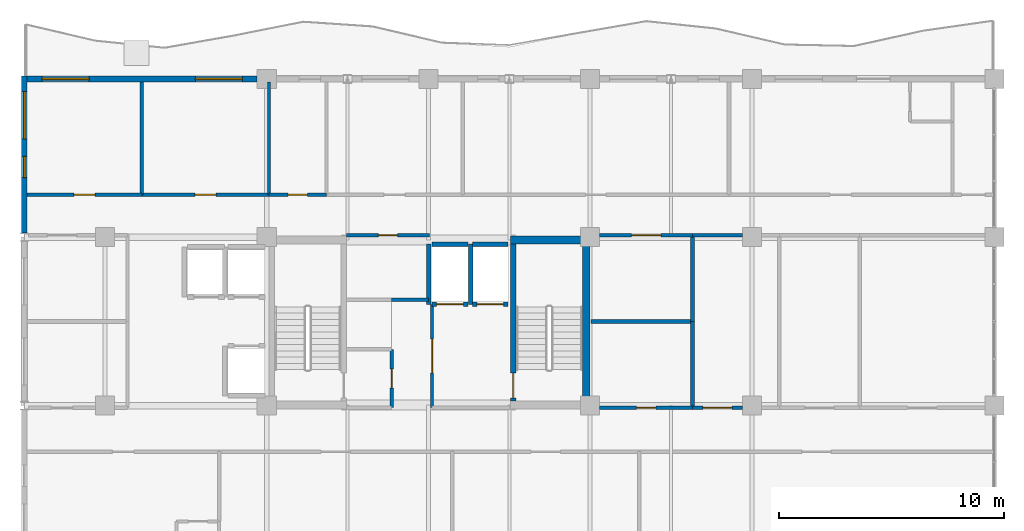
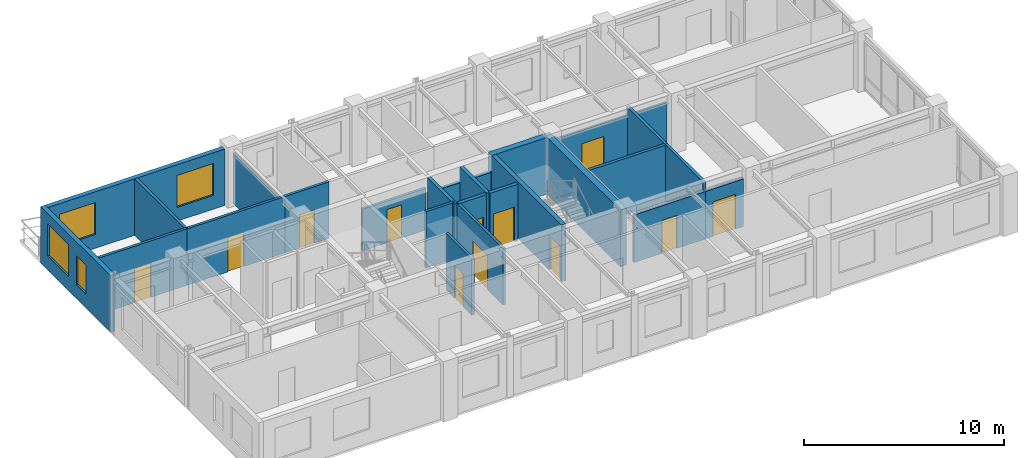
# One storey, part 7 of 11: 27 walls, 12 doors, 4 windows, 16 openings.
"""IFC4 building model written with IfcOpenShell, lengths in metres."""

from ifc_helpers import new_model, si_unit, direction, frame, frame_2d, origin, place, context, subcontext, project, spatial, rectangle, extrude, material, layer, layer_set, type_object, element, fill, save


model = new_model("IFC4")

# Units and contexts
model_context = context("Model", 3, precision=1e-05, world=origin(), true_north=direction((0.0, 1.0)))
body_context = subcontext(model_context, "Body", "Model", "MODEL_VIEW")
ifc_project = project(units=[si_unit("LENGTHUNIT", "METRE"), si_unit("AREAUNIT", "SQUARE_METRE"), si_unit("VOLUMEUNIT", "CUBIC_METRE"), si_unit("PLANEANGLEUNIT", "RADIAN"), si_unit("MASSUNIT", "GRAM", prefix="KILO")], contexts=[model_context])

# Site, building, storey
site_placement = place(None, origin())
site = spatial("IfcSite", under=ifc_project, at=site_placement, CompositionType="ELEMENT")
building_placement = place(site_placement, origin())
building = spatial("IfcBuilding", under=site, at=building_placement, Name="Kaliganga Portal Commons", CompositionType="ELEMENT")
storey_placement = place(building_placement, frame((0.0, 0.0, 261.0)))
storey = spatial("IfcBuildingStorey", under=building, at=storey_placement, Name="L67", CompositionType="ELEMENT", Elevation=261.0)

# Walls
ifc_material_1 = material(Name="Concrete C50/60", Category="concrete")
ifc_layer_1 = layer(ifc_material_1, 0.35009765625)
ifc_layer_set_1 = layer_set([ifc_layer_1], Name="Concrete C50/60")
wall_type_1 = type_object("IfcWallType", Name="WL-CORE-350", PredefinedType="SHEAR", material=ifc_layer_set_1)
wall_1_placement = place(storey_placement, frame((28.625, 28.5, 0.0), z_axis=(0.0, 0.0, 1.0), x_axis=(0.0, 1.0, 0.0)))
element("IfcWall", 1, at=wall_1_placement, inside=storey, type_object=wall_type_1, Name="Core A East Shear Wall L67", PredefinedType="SHEAR", context=body_context, shape_type="SweptSolid", body=[
    extrude(rectangle(XDim=7.699951171875, YDim=0.35009765625, at=frame_2d((3.85009765625, 0.0))), origin(), (0.0, 0.0, 1.0), 3.47509765625),
])
wall_2_placement = place(storey_placement, frame((25.25, 36.02490234375, 0.0), z_axis=(0.0, 0.0, 1.0), x_axis=(1.0, 0.0, 0.0)))
element("IfcWall", 2, at=wall_2_placement, inside=storey, type_object=wall_type_1, Name="Core A N-East Shear Wall L67", PredefinedType="SHEAR", context=body_context, shape_type="SweptSolid", body=[
    extrude(rectangle(XDim=3.199951171875, YDim=0.35009765625, at=frame_2d((1.60009765625, 0.0))), origin(), (0.0, 0.0, 1.0), 3.47509765625),
])

# Wall, openings, windows
ifc_material_2 = material(Name="Insulated Aluminium-Clad Spandrel Assembly", Category="aluminium")
ifc_layer_2 = layer(ifc_material_2, 0.260009765625)
ifc_layer_set_2 = layer_set([ifc_layer_2], Name="Insulated Aluminium-Clad Spandrel Assembly")
wall_type_2 = type_object("IfcWallType", Name="WL-EXT-SPAND-260", PredefinedType="STANDARD", material=ifc_layer_set_2)
wall_3_placement = place(storey_placement, frame((3.735107421875, 43.199951171875, 0.0), z_axis=(0.0, 0.0, 1.0), x_axis=(1.0, 0.0, 0.0)))
wall_3 = element("IfcWall", 3, at=wall_3_placement, inside=storey, type_object=wall_type_2, Name="Exterior Envelope Wall L67 P1-E02-S8", PredefinedType="STANDARD", context=body_context, shape_type="SweptSolid", body=[
    extrude(rectangle(XDim=10.239013671875, YDim=0.260009765625, at=frame_2d((5.11962890625, 0.0))), origin(), (0.0, 0.0, 1.0), 3.455078125),
])
opening_1_placement = place(wall_3_placement, frame((0.656494140625, 0.0, 0.85009765625)))
opening_1 = element("IfcOpeningElement", 4, at=opening_1_placement, cuts=wall_3, Name="Opening W-06", PredefinedType="OPENING", context=body_context, shape_type="SweptSolid", body=[
    extrude(rectangle(XDim=2.10009765625, YDim=1.949951171875, at=frame_2d((1.050048828125, 0.97509765625))), frame((0.0, 0.14013671875, 0.0), z_axis=(0.0, -1.0, 0.0), x_axis=(1.0, 0.0, 0.0)), (0.0, 0.0, 1.0), 0.280029296875),
])
opening_2_placement = place(wall_3_placement, frame((7.482421875, 0.0, 0.85009765625)))
opening_2 = element("IfcOpeningElement", 5, at=opening_2_placement, cuts=wall_3, Name="Opening W-06", PredefinedType="OPENING", context=body_context, shape_type="SweptSolid", body=[
    extrude(rectangle(XDim=2.10009765625, YDim=1.949951171875, at=frame_2d((1.050048828125, 0.97509765625))), frame((0.0, 0.14013671875, 0.0), z_axis=(0.0, -1.0, 0.0), x_axis=(1.0, 0.0, 0.0)), (0.0, 0.0, 1.0), 0.280029296875),
])
ifc_material_3 = material(Name="Thermally Broken Aluminium and Low-E Double Glazing", Category="aluminium")
window_type_1 = type_object("IfcWindowType", Name="WIN-PAN-2100", PartitioningType="DOUBLE_PANEL_VERTICAL", PredefinedType="WINDOW", material=ifc_material_3)
window_1_placement = place(opening_1_placement, origin())
window_1 = element("IfcWindow", 6, at=window_1_placement, inside=storey, type_object=window_type_1, Name="Facade Window L67-P1E02S8-00", OverallHeight=1.949951171875, OverallWidth=2.10009765625, PartitioningType="SINGLE_PANEL", PredefinedType="WINDOW", context=body_context, shape_type="SweptSolid", body=[
    extrude(rectangle(XDim=2.10009765625, YDim=1.949951171875, at=frame_2d((1.050048828125, 0.97509765625))), frame((0.0, 0.030029296875, 0.0), z_axis=(0.0, -1.0, 0.0), x_axis=(1.0, 0.0, 0.0)), (0.0, 0.0, 1.0), 0.06005859375),
])
fill(opening_1, window_1)
window_2_placement = place(opening_2_placement, origin())
window_2 = element("IfcWindow", 7, at=window_2_placement, inside=storey, type_object=window_type_1, Name="Facade Window L67-P1E02S8-02", OverallHeight=1.949951171875, OverallWidth=2.10009765625, PartitioningType="SINGLE_PANEL", PredefinedType="WINDOW", context=body_context, shape_type="SweptSolid", body=[
    extrude(rectangle(XDim=2.10009765625, YDim=1.949951171875, at=frame_2d((1.050048828125, 0.97509765625))), frame((0.0, 0.030029296875, 0.0), z_axis=(0.0, -1.0, 0.0), x_axis=(1.0, 0.0, 0.0)), (0.0, 0.0, 1.0), 0.06005859375),
])
fill(opening_2, window_2)

wall_4_placement = place(storey_placement, frame((3.60009765625, 36.3369140625, 0.0), z_axis=(0.0, 0.0, 1.0), x_axis=(0.0, 1.0, 0.0)))
wall_4 = element("IfcWall", 8, at=wall_4_placement, inside=storey, type_object=wall_type_2, Name="Exterior Envelope Wall L67 P1-E03-S1", PredefinedType="STANDARD", context=body_context, shape_type="SweptSolid", body=[
    extrude(rectangle(XDim=6.9931640625, YDim=0.260009765625, at=frame_2d((3.49658203125, 0.0))), origin(), (0.0, 0.0, 1.0), 3.455078125),
])
opening_3_placement = place(wall_4_placement, frame((4.194580078125, 0.0, 0.85009765625)))
opening_3 = element("IfcOpeningElement", 9, at=opening_3_placement, cuts=wall_4, Name="Opening W-06", PredefinedType="OPENING", context=body_context, shape_type="SweptSolid", body=[
    extrude(rectangle(XDim=2.10009765625, YDim=1.949951171875, at=frame_2d((1.050048828125, 0.97509765625))), frame((0.0, 0.14013671875, 0.0), z_axis=(0.0, -1.0, 0.0), x_axis=(1.0, 0.0, 0.0)), (0.0, 0.0, 1.0), 0.280029296875),
])
opening_4_placement = place(wall_4_placement, frame((2.462158203125, 0.0, 0.85009765625)))
opening_4 = element("IfcOpeningElement", 10, at=opening_4_placement, cuts=wall_4, Name="Opening W-04", PredefinedType="OPENING", context=body_context, shape_type="SweptSolid", body=[
    extrude(rectangle(XDim=0.949951171875, YDim=1.75, at=frame_2d((0.47509765625, 0.875))), frame((0.0, 0.14013671875, 0.0), z_axis=(0.0, -1.0, 0.0), x_axis=(1.0, 0.0, 0.0)), (0.0, 0.0, 1.0), 0.280029296875),
])
window_type_2 = type_object("IfcWindowType", Name="WIN-NARROW-950", PartitioningType="SINGLE_PANEL", PredefinedType="WINDOW", material=ifc_material_3)
window_3_placement = place(opening_4_placement, origin())
window_3 = element("IfcWindow", 11, at=window_3_placement, inside=storey, type_object=window_type_2, Name="Facade Window L67-P1E03S1-N5", OverallHeight=1.75, OverallWidth=0.949951171875, PartitioningType="SINGLE_PANEL", PredefinedType="WINDOW", context=body_context, shape_type="SweptSolid", body=[
    extrude(rectangle(XDim=0.949951171875, YDim=1.75, at=frame_2d((0.47509765625, 0.875))), frame((0.0, 0.030029296875, 0.0), z_axis=(0.0, -1.0, 0.0), x_axis=(1.0, 0.0, 0.0)), (0.0, 0.0, 1.0), 0.06005859375),
])
fill(opening_4, window_3)
window_4_placement = place(opening_3_placement, origin())
window_4 = element("IfcWindow", 12, at=window_4_placement, inside=storey, type_object=window_type_1, Name="Facade Window L67-P1E03S1-01", OverallHeight=1.949951171875, OverallWidth=2.10009765625, PartitioningType="SINGLE_PANEL", PredefinedType="WINDOW", context=body_context, shape_type="SweptSolid", body=[
    extrude(rectangle(XDim=2.10009765625, YDim=1.949951171875, at=frame_2d((1.050048828125, 0.97509765625))), frame((0.0, 0.030029296875, 0.0), z_axis=(0.0, -1.0, 0.0), x_axis=(1.0, 0.0, 0.0)), (0.0, 0.0, 1.0), 0.06005859375),
])
fill(opening_3, window_4)

# Wall, opening, door
ifc_material_4 = material(Name="Fire-Rated Gypsum Board on Steel Stud", Category="steel")
ifc_layer_3 = layer(ifc_material_4, 0.14990234375)
ifc_layer_set_3 = layer_set([ifc_layer_3], Name="Fire-Rated Gypsum Board on Steel Stud")
wall_type_3 = type_object("IfcWallType", Name="WL-PART-CORR-150", PredefinedType="PARTITIONING", material=ifc_layer_set_3)
wall_5_placement = place(storey_placement, frame((8.840087890625, 38.0400390625, 0.0), z_axis=(0.0, 0.0, 1.0), x_axis=(1.0, 0.0, 0.0)))
wall_5 = element("IfcWall", 13, at=wall_5_placement, inside=storey, type_object=wall_type_3, Name="Interior Partition L67-016", PredefinedType="PARTITIONING", context=body_context, shape_type="SweptSolid", body=[
    extrude(rectangle(XDim=5.659912109375, YDim=0.14990234375, at=frame_2d((2.830078125, 0.0))), origin(), (0.0, 0.0, 1.0), 3.455078125),
])
opening_5_placement = place(wall_5_placement, frame((2.35498046875, 0.0, 0.0)))
opening_5 = element("IfcOpeningElement", 14, at=opening_5_placement, cuts=wall_5, Name="Opening UD-01", PredefinedType="OPENING", context=body_context, shape_type="SweptSolid", body=[
    extrude(rectangle(XDim=0.949951171875, YDim=2.10009765625, at=frame_2d((0.47509765625, 1.050048828125))), frame((0.0, 0.0849609375, 0.0), z_axis=(0.0, -1.0, 0.0), x_axis=(1.0, 0.0, 0.0)), (0.0, 0.0, 1.0), 0.169921875),
])
ifc_material_5 = material(Name="Solid-Core Timber Acoustic Fire Door", Category="wood")
door_type_1 = type_object("IfcDoorType", Name="DR-UNIT-950", OperationType="NOTDEFINED", PredefinedType="DOOR", material=ifc_material_5)
door_1_placement = place(opening_5_placement, origin())
door_1 = element("IfcDoor", 15, at=door_1_placement, inside=storey, type_object=door_type_1, Name="Interior Door L67-AN02", OperationType="SINGLE_SWING_RIGHT", OverallHeight=2.10009765625, OverallWidth=0.949951171875, PredefinedType="DOOR", context=body_context, shape_type="SweptSolid", body=[
    extrude(rectangle(XDim=0.949951171875, YDim=2.10009765625, at=frame_2d((0.47509765625, 1.050048828125))), frame((0.0, 0.02490234375, 0.0), z_axis=(0.0, -1.0, 0.0), x_axis=(1.0, 0.0, 0.0)), (0.0, 0.0, 1.0), 0.050048828125),
])
fill(opening_5, door_1)

wall_6_placement = place(storey_placement, frame((3.73193359375, 38.0400390625, 0.0), z_axis=(0.0, 0.0, 1.0), x_axis=(1.0, 0.0, 0.0)))
wall_6 = element("IfcWall", 16, at=wall_6_placement, inside=storey, type_object=wall_type_3, Name="Interior Partition L67-017", PredefinedType="PARTITIONING", context=body_context, shape_type="SweptSolid", body=[
    extrude(rectangle(XDim=5.108154296875, YDim=0.14990234375, at=frame_2d((2.55419921875, 0.0))), origin(), (0.0, 0.0, 1.0), 3.455078125),
])
opening_6_placement = place(wall_6_placement, frame((2.0791015625, 0.0, 0.0)))
opening_6 = element("IfcOpeningElement", 17, at=opening_6_placement, cuts=wall_6, Name="Opening UD-01", PredefinedType="OPENING", context=body_context, shape_type="SweptSolid", body=[
    extrude(rectangle(XDim=0.949951171875, YDim=2.10009765625, at=frame_2d((0.47509765625, 1.050048828125))), frame((0.0, 0.0849609375, 0.0), z_axis=(0.0, -1.0, 0.0), x_axis=(1.0, 0.0, 0.0)), (0.0, 0.0, 1.0), 0.169921875),
])
door_2_placement = place(opening_6_placement, origin())
door_2 = element("IfcDoor", 18, at=door_2_placement, inside=storey, type_object=door_type_1, Name="Interior Door L67-AN01", OperationType="SINGLE_SWING_LEFT", OverallHeight=2.10009765625, OverallWidth=0.949951171875, PredefinedType="DOOR", context=body_context, shape_type="SweptSolid", body=[
    extrude(rectangle(XDim=0.949951171875, YDim=2.10009765625, at=frame_2d((0.47509765625, 1.050048828125))), frame((0.0, 0.02490234375, 0.0), z_axis=(0.0, -1.0, 0.0), x_axis=(1.0, 0.0, 0.0)), (0.0, 0.0, 1.0), 0.050048828125),
])
fill(opening_6, door_2)

wall_7_placement = place(storey_placement, frame((29.22509765625, 28.56005859375, 0.0), z_axis=(0.0, 0.0, 1.0), x_axis=(1.0, 0.0, 0.0)))
wall_7 = element("IfcWall", 19, at=wall_7_placement, inside=storey, type_object=wall_type_3, Name="Interior Partition L67-022", PredefinedType="PARTITIONING", context=body_context, shape_type="SweptSolid", body=[
    extrude(rectangle(XDim=4.135009765625, YDim=0.14990234375, at=frame_2d((2.0673828125, 0.0))), origin(), (0.0, 0.0, 1.0), 2.905029296875),
])
opening_7_placement = place(wall_7_placement, frame((1.637451171875, 0.0, 0.0)))
opening_7 = element("IfcOpeningElement", 20, at=opening_7_placement, cuts=wall_7, Name="Opening WD-02", PredefinedType="OPENING", context=body_context, shape_type="SweptSolid", body=[
    extrude(rectangle(XDim=0.860107421875, YDim=2.02001953125, at=frame_2d((0.43017578125, 1.010009765625))), frame((0.0, 0.0849609375, 0.0), z_axis=(0.0, -1.0, 0.0), x_axis=(1.0, 0.0, 0.0)), (0.0, 0.0, 1.0), 0.169921875),
])
ifc_material_6 = material(Name="Fire-Rated Utility Closet Door", Category="wood")
door_type_2 = type_object("IfcDoorType", Name="DR-STORE-800", OperationType="NOTDEFINED", PredefinedType="DOOR", material=ifc_material_6)
door_3_placement = place(opening_7_placement, origin())
door_3 = element("IfcDoor", 21, at=door_3_placement, inside=storey, type_object=door_type_2, Name="Interior Door L67-CSRV_A1", OperationType="SINGLE_SWING_RIGHT", OverallHeight=2.02001953125, OverallWidth=0.860107421875, PredefinedType="DOOR", context=body_context, shape_type="SweptSolid", body=[
    extrude(rectangle(XDim=0.860107421875, YDim=2.02001953125, at=frame_2d((0.43017578125, 1.010009765625))), frame((0.0, 0.02490234375, 0.0), z_axis=(0.0, -1.0, 0.0), x_axis=(1.0, 0.0, 0.0)), (0.0, 0.0, 1.0), 0.050048828125),
])
fill(opening_7, door_3)

wall_8_placement = place(storey_placement, frame((29.22509765625, 36.239990234375, 0.0), z_axis=(0.0, 0.0, 1.0), x_axis=(1.0, 0.0, 0.0)))
wall_8 = element("IfcWall", 22, at=wall_8_placement, inside=storey, type_object=wall_type_3, Name="Interior Partition L67-023", PredefinedType="PARTITIONING", context=body_context, shape_type="SweptSolid", body=[
    extrude(rectangle(XDim=4.135009765625, YDim=0.14990234375, at=frame_2d((2.0673828125, 0.0))), origin(), (0.0, 0.0, 1.0), 2.905029296875),
])
opening_8_placement = place(wall_8_placement, frame((1.41748046875, 0.0, 0.0)))
opening_8 = element("IfcOpeningElement", 23, at=opening_8_placement, cuts=wall_8, Name="Opening RD-03", PredefinedType="OPENING", context=body_context, shape_type="SweptSolid", body=[
    extrude(rectangle(XDim=1.300048828125, YDim=2.1201171875, at=frame_2d((0.64990234375, 1.06005859375))), frame((0.0, 0.0849609375, 0.0), z_axis=(0.0, -1.0, 0.0), x_axis=(1.0, 0.0, 0.0)), (0.0, 0.0, 1.0), 0.169921875),
])
ifc_material_7 = material(Name="Glazed Timber Seminar Vision Door", Category="wood")
door_type_3 = type_object("IfcDoorType", Name="DR-STUDY-1300", OperationType="DOUBLE_DOOR_SINGLE_SWING", PredefinedType="DOOR", material=ifc_material_7)
door_4_placement = place(opening_8_placement, origin())
door_4 = element("IfcDoor", 24, at=door_4_placement, inside=storey, type_object=door_type_3, Name="Interior Door L67-CSRV_A2", OperationType="DOUBLE_DOOR_SINGLE_SWING", OverallHeight=2.1201171875, OverallWidth=1.300048828125, PredefinedType="DOOR", context=body_context, shape_type="SweptSolid", body=[
    extrude(rectangle(XDim=1.300048828125, YDim=2.1201171875, at=frame_2d((0.64990234375, 1.06005859375))), frame((0.0, 0.02490234375, 0.0), z_axis=(0.0, -1.0, 0.0), x_axis=(1.0, 0.0, 0.0)), (0.0, 0.0, 1.0), 0.050048828125),
])
fill(opening_8, door_4)

wall_9_placement = place(storey_placement, frame((33.360107421875, 28.56005859375, 0.0), z_axis=(0.0, 0.0, 1.0), x_axis=(1.0, 0.0, 0.0)))
wall_9 = element("IfcWall", 25, at=wall_9_placement, inside=storey, type_object=wall_type_3, Name="Interior Partition L67-024", PredefinedType="PARTITIONING", context=body_context, shape_type="SweptSolid", body=[
    extrude(rectangle(XDim=2.21484375, YDim=0.14990234375, at=frame_2d((1.107421875, 0.0))), origin(), (0.0, 0.0, 1.0), 2.905029296875),
])
opening_9_placement = place(wall_9_placement, frame((0.45751953125, 0.0, 0.0)))
opening_9 = element("IfcOpeningElement", 26, at=opening_9_placement, cuts=wall_9, Name="Opening RD-03", PredefinedType="OPENING", context=body_context, shape_type="SweptSolid", body=[
    extrude(rectangle(XDim=1.300048828125, YDim=2.1201171875, at=frame_2d((0.64990234375, 1.06005859375))), frame((0.0, 0.0849609375, 0.0), z_axis=(0.0, -1.0, 0.0), x_axis=(1.0, 0.0, 0.0)), (0.0, 0.0, 1.0), 0.169921875),
])
door_5_placement = place(opening_9_placement, origin())
door_5 = element("IfcDoor", 27, at=door_5_placement, inside=storey, type_object=door_type_3, Name="Interior Door L67-AE01", OperationType="DOUBLE_DOOR_SINGLE_SWING", OverallHeight=2.1201171875, OverallWidth=1.300048828125, PredefinedType="DOOR", context=body_context, shape_type="SweptSolid", body=[
    extrude(rectangle(XDim=1.300048828125, YDim=2.1201171875, at=frame_2d((0.64990234375, 1.06005859375))), frame((0.0, 0.02490234375, 0.0), z_axis=(0.0, -1.0, 0.0), x_axis=(1.0, 0.0, 0.0)), (0.0, 0.0, 1.0), 0.050048828125),
])
fill(opening_9, door_5)

# Wall
wall_10_placement = place(storey_placement, frame((33.360107421875, 36.239990234375, 0.0), z_axis=(0.0, 0.0, 1.0), x_axis=(1.0, 0.0, 0.0)))
element("IfcWall", 28, at=wall_10_placement, inside=storey, type_object=wall_type_3, Name="Interior Partition L67-026", PredefinedType="PARTITIONING", context=body_context, shape_type="SweptSolid", body=[
    extrude(rectangle(XDim=2.21484375, YDim=0.14990234375, at=frame_2d((1.107421875, 0.0))), origin(), (0.0, 0.0, 1.0), 2.905029296875),
])

# Wall, opening, door
wall_11_placement = place(storey_placement, frame((17.9599609375, 36.239990234375, 0.0), z_axis=(0.0, 0.0, 1.0), x_axis=(1.0, 0.0, 0.0)))
wall_11 = element("IfcWall", 29, at=wall_11_placement, inside=storey, type_object=wall_type_3, Name="Interior Partition L67-030", PredefinedType="PARTITIONING", context=body_context, shape_type="SweptSolid", body=[
    extrude(rectangle(XDim=3.679931640625, YDim=0.14990234375, at=frame_2d((1.83984375, 0.0))), origin(), (0.0, 0.0, 1.0), 2.554931640625),
])
opening_10_placement = place(wall_11_placement, frame((1.4150390625, 0.0, 0.0)))
opening_10 = element("IfcOpeningElement", 30, at=opening_10_placement, cuts=wall_11, Name="Opening WD-01", PredefinedType="OPENING", context=body_context, shape_type="SweptSolid", body=[
    extrude(rectangle(XDim=0.85009765625, YDim=2.0400390625, at=frame_2d((0.425048828125, 1.02001953125))), frame((0.0, 0.0849609375, 0.0), z_axis=(0.0, -1.0, 0.0), x_axis=(1.0, 0.0, 0.0)), (0.0, 0.0, 1.0), 0.169921875),
])
ifc_material_8 = material(Name="Moisture-Resistant Laminate Timber Door", Category="wood")
door_type_4 = type_object("IfcDoorType", Name="DR-WET-850", OperationType="NOTDEFINED", PredefinedType="DOOR", material=ifc_material_8)
door_6_placement = place(opening_10_placement, origin())
door_6 = element("IfcDoor", 31, at=door_6_placement, inside=storey, type_object=door_type_4, Name="Interior Door L67-CREC_A1", OperationType="SINGLE_SWING_LEFT", OverallHeight=2.0400390625, OverallWidth=0.85009765625, PredefinedType="DOOR", context=body_context, shape_type="SweptSolid", body=[
    extrude(rectangle(XDim=0.85009765625, YDim=2.0400390625, at=frame_2d((0.425048828125, 1.02001953125))), frame((0.0, 0.02490234375, 0.0), z_axis=(0.0, -1.0, 0.0), x_axis=(1.0, 0.0, 0.0)), (0.0, 0.0, 1.0), 0.050048828125),
])
fill(opening_10, door_6)

wall_12_placement = place(storey_placement, frame((19.9599609375, 28.56005859375, 0.0), z_axis=(0.0, 0.0, 1.0), x_axis=(0.0, 1.0, 0.0)))
wall_12 = element("IfcWall", 32, at=wall_12_placement, inside=storey, type_object=wall_type_3, Name="Interior Partition L67-033", PredefinedType="PARTITIONING", context=body_context, shape_type="SweptSolid", body=[
    extrude(rectangle(XDim=2.599853515625, YDim=0.14990234375, at=frame_2d((1.2998046875, 0.0))), origin(), (0.0, 0.0, 1.0), 3.455078125),
])
opening_11_placement = place(wall_12_placement, frame((0.8701171875, 0.0, 0.0)))
opening_11 = element("IfcOpeningElement", 33, at=opening_11_placement, cuts=wall_12, Name="Opening WD-02", PredefinedType="OPENING", context=body_context, shape_type="SweptSolid", body=[
    extrude(rectangle(XDim=0.860107421875, YDim=2.02001953125, at=frame_2d((0.43017578125, 1.010009765625))), frame((0.0, 0.0849609375, 0.0), z_axis=(0.0, -1.0, 0.0), x_axis=(1.0, 0.0, 0.0)), (0.0, 0.0, 1.0), 0.169921875),
])
door_7_placement = place(opening_11_placement, origin())
door_7 = element("IfcDoor", 34, at=door_7_placement, inside=storey, type_object=door_type_2, Name="Interior Door L67-CIN_A1", OperationType="SINGLE_SWING_LEFT", OverallHeight=2.02001953125, OverallWidth=0.860107421875, PredefinedType="DOOR", context=body_context, shape_type="SweptSolid", body=[
    extrude(rectangle(XDim=0.860107421875, YDim=2.02001953125, at=frame_2d((0.43017578125, 1.010009765625))), frame((0.0, 0.02490234375, 0.0), z_axis=(0.0, -1.0, 0.0), x_axis=(1.0, 0.0, 0.0)), (0.0, 0.0, 1.0), 0.050048828125),
])
fill(opening_11, door_7)

wall_13_placement = place(storey_placement, frame((14.5, 38.0400390625, 0.0), z_axis=(0.0, 0.0, 1.0), x_axis=(1.0, 0.0, 0.0)))
wall_13 = element("IfcWall", 35, at=wall_13_placement, inside=storey, type_object=wall_type_3, Name="Interior Partition L67-034", PredefinedType="PARTITIONING", context=body_context, shape_type="SweptSolid", body=[
    extrude(rectangle(XDim=2.56005859375, YDim=0.14990234375, at=frame_2d((1.280029296875, 0.0))), origin(), (0.0, 0.0, 1.0), 3.455078125),
])
opening_12_placement = place(wall_13_placement, frame((0.85498046875, 0.0, 0.0)))
opening_12 = element("IfcOpeningElement", 36, at=opening_12_placement, cuts=wall_13, Name="Opening WD-01", PredefinedType="OPENING", context=body_context, shape_type="SweptSolid", body=[
    extrude(rectangle(XDim=0.85009765625, YDim=2.0400390625, at=frame_2d((0.425048828125, 1.02001953125))), frame((0.0, 0.0849609375, 0.0), z_axis=(0.0, -1.0, 0.0), x_axis=(1.0, 0.0, 0.0)), (0.0, 0.0, 1.0), 0.169921875),
])
door_8_placement = place(opening_12_placement, origin())
door_8 = element("IfcDoor", 37, at=door_8_placement, inside=storey, type_object=door_type_4, Name="Interior Door L67-AN03", OperationType="SINGLE_SWING_RIGHT", OverallHeight=2.0400390625, OverallWidth=0.85009765625, PredefinedType="DOOR", context=body_context, shape_type="SweptSolid", body=[
    extrude(rectangle(XDim=0.85009765625, YDim=2.0400390625, at=frame_2d((0.425048828125, 1.02001953125))), frame((0.0, 0.02490234375, 0.0), z_axis=(0.0, -1.0, 0.0), x_axis=(1.0, 0.0, 0.0)), (0.0, 0.0, 1.0), 0.050048828125),
])
fill(opening_12, door_8)

# Wall
wall_14_placement = place(storey_placement, frame((19.9599609375, 33.360107421875, 0.0), z_axis=(0.0, 0.0, 1.0), x_axis=(1.0, 0.0, 0.0)))
element("IfcWall", 38, at=wall_14_placement, inside=storey, type_object=wall_type_3, Name="Interior Partition L67-039", PredefinedType="PARTITIONING", context=body_context, shape_type="SweptSolid", body=[
    extrude(rectangle(XDim=1.650146484375, YDim=0.14990234375, at=frame_2d((0.8251953125, 0.0))), origin(), (0.0, 0.0, 1.0), 3.455078125),
])

# Wall, opening, door
wall_15_placement = place(storey_placement, frame((21.760009765625, 28.56005859375, 0.0), z_axis=(0.0, 0.0, 1.0), x_axis=(0.0, 1.0, 0.0)))
wall_15 = element("IfcWall", 39, at=wall_15_placement, inside=storey, type_object=wall_type_3, Name="Interior Partition L67-050", PredefinedType="PARTITIONING", context=body_context, shape_type="SweptSolid", body=[
    extrude(rectangle(XDim=4.599853515625, YDim=0.14990234375, at=frame_2d((2.2998046875, 0.0))), origin(), (0.0, 0.0, 1.0), 3.455078125),
])
opening_13_placement = place(wall_15_placement, frame((1.550048828125, 0.0, 0.0)))
opening_13 = element("IfcOpeningElement", 40, at=opening_13_placement, cuts=wall_15, Name="Opening FD-01", PredefinedType="OPENING", context=body_context, shape_type="SweptSolid", body=[
    extrude(rectangle(XDim=1.5, YDim=2.10009765625, at=frame_2d((0.75, 1.050048828125))), frame((0.0, 0.0849609375, 0.0), z_axis=(0.0, -1.0, 0.0), x_axis=(1.0, 0.0, 0.0)), (0.0, 0.0, 1.0), 0.169921875),
])
ifc_material_9 = material(Name="Fire-Rated Hardwood and Georgian-Wired Vision Panel", Category="wood")
door_type_5 = type_object("IfcDoorType", Name="DR-LOBBY-1500", OperationType="DOUBLE_DOOR_SINGLE_SWING", PredefinedType="DOOR", material=ifc_material_9)
door_9_placement = place(opening_13_placement, origin())
door_9 = element("IfcDoor", 41, at=door_9_placement, inside=storey, type_object=door_type_5, Name="Interior Door L67-FFLOB_A", OperationType="DOUBLE_DOOR_SINGLE_SWING", OverallHeight=2.10009765625, OverallWidth=1.5, PredefinedType="DOOR", context=body_context, shape_type="SweptSolid", body=[
    extrude(rectangle(XDim=1.5, YDim=2.10009765625, at=frame_2d((0.75, 1.050048828125))), frame((0.0, 0.02490234375, 0.0), z_axis=(0.0, -1.0, 0.0), x_axis=(1.0, 0.0, 0.0)), (0.0, 0.0, 1.0), 0.050048828125),
])
fill(opening_13, door_9)

# Walls
ifc_material_10 = material(Name="Twin-Stud Acoustic Gypsum Partition", Category="gypsum")
ifc_layer_4 = layer(ifc_material_10, 0.1650390625)
ifc_layer_set_4 = layer_set([ifc_layer_4], Name="Twin-Stud Acoustic Gypsum Partition")
wall_type_4 = type_object("IfcWallType", Name="WL-PART-UNIT-165", PredefinedType="PARTITIONING", material=ifc_layer_set_4)
wall_16_placement = place(storey_placement, frame((8.840087890625, 38.0400390625, 0.0), z_axis=(0.0, 0.0, 1.0), x_axis=(0.0, 1.0, 0.0)))
element("IfcWall", 42, at=wall_16_placement, inside=storey, type_object=wall_type_4, Name="Interior Partition L67-042", PredefinedType="PARTITIONING", context=body_context, shape_type="SweptSolid", body=[
    extrude(rectangle(XDim=5.028076171875, YDim=0.1650390625, at=frame_2d((2.51416015625, 0.0))), origin(), (0.0, 0.0, 1.0), 3.455078125),
])
wall_17_placement = place(storey_placement, frame((28.840087890625, 32.39990234375, 0.0), z_axis=(0.0, 0.0, 1.0), x_axis=(1.0, 0.0, 0.0)))
element("IfcWall", 43, at=wall_17_placement, inside=storey, type_object=wall_type_4, Name="Interior Partition L67-051", PredefinedType="PARTITIONING", context=body_context, shape_type="SweptSolid", body=[
    extrude(rectangle(XDim=4.52001953125, YDim=0.1650390625, at=frame_2d((2.260009765625, 0.0))), origin(), (0.0, 0.0, 1.0), 3.455078125),
])
wall_18_placement = place(storey_placement, frame((33.360107421875, 32.39990234375, 0.0), z_axis=(0.0, 0.0, 1.0), x_axis=(0.0, 1.0, 0.0)))
element("IfcWall", 44, at=wall_18_placement, inside=storey, type_object=wall_type_4, Name="Interior Partition L67-052", PredefinedType="PARTITIONING", context=body_context, shape_type="SweptSolid", body=[
    extrude(rectangle(XDim=3.840087890625, YDim=0.1650390625, at=frame_2d((1.919921875, 0.0))), origin(), (0.0, 0.0, 1.0), 3.455078125),
])
wall_19_placement = place(storey_placement, frame((33.360107421875, 28.56005859375, 0.0), z_axis=(0.0, 0.0, 1.0), x_axis=(0.0, 1.0, 0.0)))
element("IfcWall", 45, at=wall_19_placement, inside=storey, type_object=wall_type_4, Name="Interior Partition L67-053", PredefinedType="PARTITIONING", context=body_context, shape_type="SweptSolid", body=[
    extrude(rectangle(XDim=3.83984375, YDim=0.1650390625, at=frame_2d((1.919921875, 0.0))), origin(), (0.0, 0.0, 1.0), 3.455078125),
])
ifc_material_11 = material(Name="Cement-Board Wet-Room Partition", Category="gypsum")
ifc_layer_5 = layer(ifc_material_11, 0.135009765625)
ifc_layer_set_5 = layer_set([ifc_layer_5], Name="Cement-Board Wet-Room Partition")
wall_type_5 = type_object("IfcWallType", Name="WL-PART-WET-135", PredefinedType="PARTITIONING", material=ifc_layer_set_5)
wall_20_placement = place(storey_placement, frame((14.5, 38.0400390625, 0.0), z_axis=(0.0, 0.0, 1.0), x_axis=(0.0, 1.0, 0.0)))
element("IfcWall", 46, at=wall_20_placement, inside=storey, type_object=wall_type_5, Name="Interior Partition L67-043", PredefinedType="PARTITIONING", context=body_context, shape_type="SweptSolid", body=[
    extrude(rectangle(XDim=5.028076171875, YDim=0.135009765625, at=frame_2d((2.51416015625, 0.0))), origin(), (0.0, 0.0, 1.0), 3.054931640625),
])

# Wall, opening, door
ifc_material_12 = material(Name="Fire-Rated Shaftwall Masonry Assembly", Category="masonry")
ifc_layer_6 = layer(ifc_material_12, 0.199951171875)
ifc_layer_set_6 = layer_set([ifc_layer_6], Name="Fire-Rated Shaftwall Masonry Assembly")
wall_type_6 = type_object("IfcWallType", Name="WL-SHAFT-200", PredefinedType="PARTITIONING", material=ifc_layer_set_6)
wall_21_placement = place(storey_placement, frame((21.75, 33.159912109375, 0.0), z_axis=(0.0, 0.0, 1.0), x_axis=(1.0, 0.0, 0.0)))
wall_21 = element("IfcWall", 47, at=wall_21_placement, inside=storey, type_object=wall_type_6, Name="Lift FFL-1 Hoistway Shaft Wall L67-S", PredefinedType="PARTITIONING", context=body_context, shape_type="SweptSolid", body=[
    extrude(rectangle(XDim=1.60009765625, YDim=0.199951171875, at=frame_2d((0.800048828125, 0.0))), origin(), (0.0, 0.0, 1.0), 3.455078125),
])
opening_14_placement = place(wall_21_placement, frame((0.199951171875, 0.0, 0.0)))
opening_14 = element("IfcOpeningElement", 48, at=opening_14_placement, cuts=wall_21, Name="Opening LD-02", PredefinedType="OPENING", context=body_context, shape_type="SweptSolid", body=[
    extrude(rectangle(XDim=1.199951171875, YDim=2.1201171875, at=frame_2d((0.60009765625, 1.06005859375))), frame((0.0, 0.10986328125, 0.0), z_axis=(0.0, -1.0, 0.0), x_axis=(1.0, 0.0, 0.0)), (0.0, 0.0, 1.0), 0.219970703125),
])
ifc_material_13 = material(Name="Brushed Stainless Steel 316 Stretcher Lift Landing Door", Category="steel")
door_type_6 = type_object("IfcDoorType", Name="DR-LIFT-1200", OperationType="SLIDING_TO_RIGHT", PredefinedType="DOOR", material=ifc_material_13)
door_10_placement = place(opening_14_placement, origin())
door_10 = element("IfcDoor", 49, at=door_10_placement, inside=storey, type_object=door_type_6, Name="Lift FFL-1 Sliding Landing Door L67", OperationType="SLIDING_TO_RIGHT", OverallHeight=2.1201171875, OverallWidth=1.199951171875, PredefinedType="DOOR", context=body_context, shape_type="SweptSolid", body=[
    extrude(rectangle(XDim=1.199951171875, YDim=2.1201171875, at=frame_2d((0.60009765625, 1.06005859375))), frame((0.0, 0.02490234375, 0.0), z_axis=(0.0, -1.0, 0.0), x_axis=(1.0, 0.0, 0.0)), (0.0, 0.0, 1.0), 0.050048828125),
])
fill(opening_14, door_10)

# Walls
wall_22_placement = place(storey_placement, frame((21.75, 35.840087890625, 0.0), z_axis=(0.0, 0.0, 1.0), x_axis=(1.0, 0.0, 0.0)))
element("IfcWall", 50, at=wall_22_placement, inside=storey, type_object=wall_type_6, Name="Lift FFL-1 Hoistway Shaft Wall L67-N", PredefinedType="PARTITIONING", context=body_context, shape_type="SweptSolid", body=[
    extrude(rectangle(XDim=1.60009765625, YDim=0.199951171875, at=frame_2d((0.800048828125, 0.0))), origin(), (0.0, 0.0, 1.0), 2.554931640625),
])
for number, where, z_axis, x_axis, name in (
    (51, (21.610107421875, 33.159912109375, 0.0), (0.0, 0.0, 1.0), (0.0, 1.0, 0.0), "Lift FFL-1 Hoistway Shaft Wall L67-W"),
    (52, (23.489990234375, 33.159912109375, 0.0), (0.0, 0.0, 1.0), (0.0, 1.0, 0.0), "Lift FFL-1 Hoistway Shaft Wall L67-E"),
):
    element("IfcWall", number, at=place(storey_placement, frame(where, z_axis=z_axis, x_axis=x_axis)), inside=storey, type_object=wall_type_6, Name=name, PredefinedType="PARTITIONING", context=body_context, shape_type="SweptSolid", body=[
        extrude(rectangle(XDim=2.68017578125, YDim=0.199951171875, at=frame_2d((1.340087890625, 0.0))), origin(), (0.0, 0.0, 1.0), 3.455078125),
    ])

# Wall, opening, door
wall_23_placement = place(storey_placement, frame((23.550048828125, 33.159912109375, 0.0), z_axis=(0.0, 0.0, 1.0), x_axis=(1.0, 0.0, 0.0)))
wall_23 = element("IfcWall", 53, at=wall_23_placement, inside=storey, type_object=wall_type_6, Name="Lift FFL-2 Hoistway Shaft Wall L67-S", PredefinedType="PARTITIONING", context=body_context, shape_type="SweptSolid", body=[
    extrude(rectangle(XDim=1.599853515625, YDim=0.199951171875, at=frame_2d((0.7998046875, 0.0))), origin(), (0.0, 0.0, 1.0), 3.455078125),
])
opening_15_placement = place(wall_23_placement, frame((0.199951171875, 0.0, 0.0)))
opening_15 = element("IfcOpeningElement", 54, at=opening_15_placement, cuts=wall_23, Name="Opening LD-02", PredefinedType="OPENING", context=body_context, shape_type="SweptSolid", body=[
    extrude(rectangle(XDim=1.199951171875, YDim=2.1201171875, at=frame_2d((0.60009765625, 1.06005859375))), frame((0.0, 0.10986328125, 0.0), z_axis=(0.0, -1.0, 0.0), x_axis=(1.0, 0.0, 0.0)), (0.0, 0.0, 1.0), 0.219970703125),
])
door_11_placement = place(opening_15_placement, origin())
door_11 = element("IfcDoor", 55, at=door_11_placement, inside=storey, type_object=door_type_6, Name="Lift FFL-2 Sliding Landing Door L67", OperationType="SLIDING_TO_RIGHT", OverallHeight=2.1201171875, OverallWidth=1.199951171875, PredefinedType="DOOR", context=body_context, shape_type="SweptSolid", body=[
    extrude(rectangle(XDim=1.199951171875, YDim=2.1201171875, at=frame_2d((0.60009765625, 1.06005859375))), frame((0.0, 0.02490234375, 0.0), z_axis=(0.0, -1.0, 0.0), x_axis=(1.0, 0.0, 0.0)), (0.0, 0.0, 1.0), 0.050048828125),
])
fill(opening_15, door_11)

# Wall
wall_24_placement = place(storey_placement, frame((23.550048828125, 35.840087890625, 0.0), z_axis=(0.0, 0.0, 1.0), x_axis=(1.0, 0.0, 0.0)))
element("IfcWall", 56, at=wall_24_placement, inside=storey, type_object=wall_type_6, Name="Lift FFL-2 Hoistway Shaft Wall L67-N", PredefinedType="PARTITIONING", context=body_context, shape_type="SweptSolid", body=[
    extrude(rectangle(XDim=1.599853515625, YDim=0.199951171875, at=frame_2d((0.7998046875, 0.0))), origin(), (0.0, 0.0, 1.0), 2.554931640625),
])

# Wall, opening, door
ifc_layer_7 = layer(ifc_material_1, 0.25)
ifc_layer_set_7 = layer_set([ifc_layer_7], Name="Concrete C50/60")
wall_type_7 = type_object("IfcWallType", Name="WL-STAIR-250", PredefinedType="SHEAR", material=ifc_layer_set_7)
wall_25_placement = place(storey_placement, frame((25.375, 28.85009765625, 0.0), z_axis=(0.0, 0.0, 1.0), x_axis=(0.0, 1.0, 0.0)))
wall_25 = element("IfcWall", 57, at=wall_25_placement, inside=storey, type_object=wall_type_7, Name="Stair A2 Enclosure Shear Wall L67", PredefinedType="SHEAR", context=body_context, shape_type="SweptSolid", body=[
    extrude(rectangle(XDim=7.0, YDim=0.25, at=frame_2d((3.5, 0.0))), origin(), (0.0, 0.0, 1.0), 3.47509765625),
])
opening_16_placement = place(wall_25_placement, frame((0.14990234375, 0.0, 0.0)))
opening_16 = element("IfcOpeningElement", 58, at=opening_16_placement, cuts=wall_25, Name="Opening SD-01", PredefinedType="OPENING", context=body_context, shape_type="SweptSolid", body=[
    extrude(rectangle(XDim=1.10009765625, YDim=2.080078125, at=frame_2d((0.550048828125, 1.0400390625))), frame((0.0, 0.135009765625, 0.0), z_axis=(0.0, -1.0, 0.0), x_axis=(1.0, 0.0, 0.0)), (0.0, 0.0, 1.0), 0.27001953125),
])
ifc_material_14 = material(Name="Galvanized Steel Fire Door Leaf and Frame", Category="steel")
door_type_7 = type_object("IfcDoorType", Name="DR-STAIR-1100", OperationType="NOTDEFINED", PredefinedType="DOOR", material=ifc_material_14)
door_12_placement = place(opening_16_placement, origin())
door_12 = element("IfcDoor", 59, at=door_12_placement, inside=storey, type_object=door_type_7, Name="Protected Stair ST-A2 Fire Door L67", OperationType="SINGLE_SWING_RIGHT", OverallHeight=2.080078125, OverallWidth=1.10009765625, PredefinedType="DOOR", context=body_context, shape_type="SweptSolid", body=[
    extrude(rectangle(XDim=1.10009765625, YDim=2.080078125, at=frame_2d((0.550048828125, 1.0400390625))), frame((0.0, 0.02490234375, 0.0), z_axis=(0.0, -1.0, 0.0), x_axis=(1.0, 0.0, 0.0)), (0.0, 0.0, 1.0), 0.050048828125),
])
fill(opening_16, door_12)

save(model, "model.ifc")
